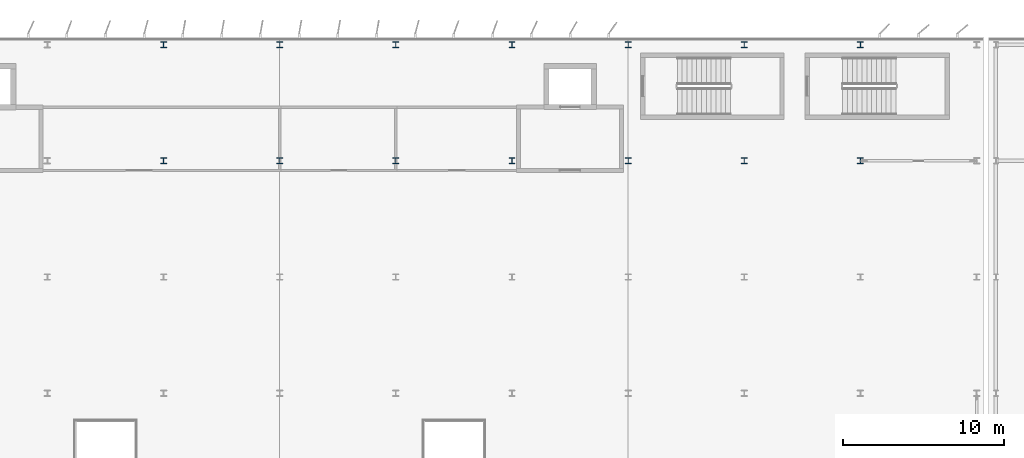
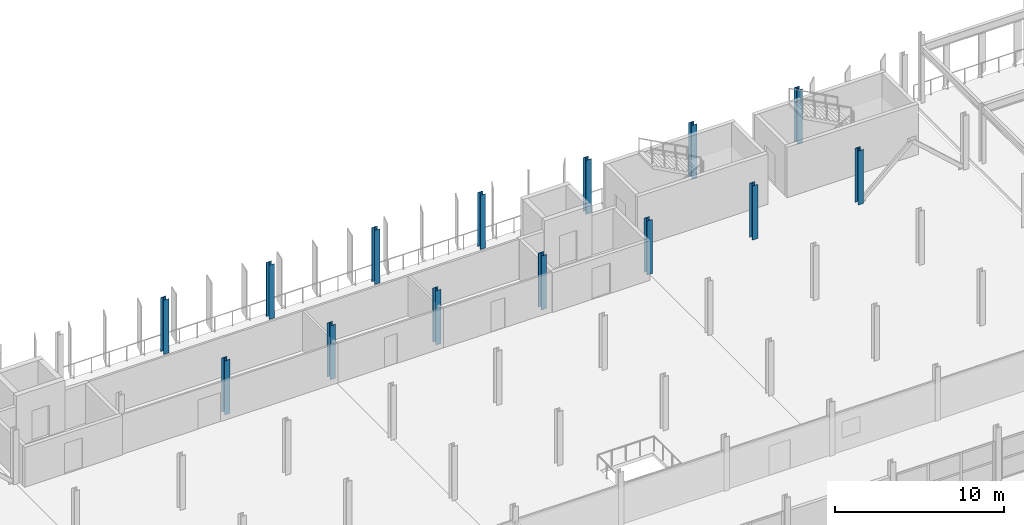
# One storey, part 9 of 40: 14 columns.
"""IFC4 building model written with IfcOpenShell, lengths in metres."""

import ifcopenshell
import ifcopenshell.guid

model = None  # the IFC model being written
_history = None  # IfcOwnerHistory: only IFC2X3 demands one
_inside = {}  # id of a spatial element -> (the spatial element, [elements in it])
_under = {}  # id of a project, library or spatial element -> (it, [spatial elements below it])
_declared = {}  # id of a project -> (the project, [libraries it declares])
_typed = {}  # id of a type object -> (the type object, [elements of that type])
_made_of = {}  # id of a material, layer set ... -> (it, [elements and type objects made of it])


def new_model(schema):
    """Start an empty IFC model of exactly this schema.

    Asked for "IFC4X3", IfcOpenShell would pick the latest addendum, in which some entities
    have other attributes; the version numbers below select the first issue.
    IFC2X3 requires an IfcOwnerHistory on every rooted entity: one is made here for all.
    """
    global model, _history
    if schema == "IFC4X3":
        model = ifcopenshell.file(schema_version=(4, 3, 0, 0))
    else:
        model = ifcopenshell.file(schema=schema)
    _inside.clear()
    _under.clear()
    _declared.clear()
    _typed.clear()
    _made_of.clear()
    _history = None
    if model.schema == "IFC2X3":
        org = make("IfcOrganization", Name="unknown")
        user = make(
            "IfcPersonAndOrganization",
            ThePerson=make("IfcPerson", FamilyName="unknown"),
            TheOrganization=org,
        )
        app = make(
            "IfcApplication",
            ApplicationDeveloper=org,
            Version="unknown",
            ApplicationFullName="unknown",
            ApplicationIdentifier="unknown",
        )
        _history = make(
            "IfcOwnerHistory",
            OwningUser=user,
            OwningApplication=app,
            ChangeAction="ADDED",
            CreationDate=0,
        )
    return model


def make(cls, **values):
    """One entity of the class cls with the attributes given. An attribute that is None is left unset."""
    return model.create_entity(
        cls, **{name: value for name, value in values.items() if value is not None}
    )


def rooted(cls, **values):
    """An entity with a GlobalId (a new one), such as an element, a storey or a relation."""
    return make(cls, GlobalId=ifcopenshell.guid.new(), OwnerHistory=_history, **values)


def si_unit(unit_type, name, prefix=None):
    """IfcSIUnit, for example si_unit("LENGTHUNIT", "METRE", prefix="MILLI")."""
    return make("IfcSIUnit", UnitType=unit_type, Prefix=prefix, Name=name)


def assignment(units):
    """IfcUnitAssignment: the units of a project."""
    return None if units is None else make("IfcUnitAssignment", Units=units)


def point(xyz):
    """IfcCartesianPoint."""
    return None if xyz is None else make("IfcCartesianPoint", Coordinates=xyz)


def direction(xyz):
    """IfcDirection."""
    return None if xyz is None else make("IfcDirection", DirectionRatios=xyz)


def frame(location, z_axis=None, x_axis=None):
    """IfcAxis2Placement3D, a coordinate frame: its origin and axes. An axis left out is left unset."""
    return make(
        "IfcAxis2Placement3D",
        Location=point(location),
        Axis=direction(z_axis),
        RefDirection=direction(x_axis),
    )


def frame_2d(location, x_axis=None):
    """IfcAxis2Placement2D, a coordinate frame in the plane: its origin and x axis."""
    return make(
        "IfcAxis2Placement2D", Location=point(location), RefDirection=direction(x_axis)
    )


def origin():
    """The frame at (0, 0, 0) with its axes left unset."""
    return frame((0.0, 0.0, 0.0))


def origin_2d():
    """The frame at (0, 0) in the plane with its x axis left unset."""
    return frame_2d((0.0, 0.0))


def place(relative_to, where):
    """IfcLocalPlacement: puts the frame where relative to a parent placement (None: the world)."""
    return make(
        "IfcLocalPlacement", PlacementRelTo=relative_to, RelativePlacement=where
    )


def context(
    kind, dimensions, precision=None, world=None, true_north=None, identifier=None
):
    """IfcGeometricRepresentationContext, for example the 3D "Model" context."""
    return make(
        "IfcGeometricRepresentationContext",
        ContextIdentifier=identifier,
        ContextType=kind,
        CoordinateSpaceDimension=dimensions,
        Precision=precision,
        WorldCoordinateSystem=world,
        TrueNorth=true_north,
    )


def subcontext(parent, identifier, kind, view, scale=None):
    """IfcGeometricRepresentationSubContext, for example "Body" below "Model"."""
    return make(
        "IfcGeometricRepresentationSubContext",
        ContextIdentifier=identifier,
        ContextType=kind,
        ParentContext=parent,
        TargetScale=scale,
        TargetView=view,
    )


def project(units=None, contexts=None):
    """IfcProject with its units and contexts."""
    return rooted(
        "IfcProject",
        Name="project",
        RepresentationContexts=contexts,
        UnitsInContext=assignment(units),
    )


def spatial(cls, under=None, at=None, **own):
    """A site, building, storey or space (cls), placed at a placement, below another one or the project."""
    s = rooted(cls, ObjectPlacement=at, **own)
    if under is not None:
        _under.setdefault(under.id(), (under, []))[1].append(s)
    return s


def profile(cls, at=None, kind="AREA", **sizes):
    """A parametric profile (cls). Its sizes go by their IFC names, for example OverallWidth=200.0."""
    return make(cls, ProfileType=kind, Position=at, **sizes)


def i_section(**sizes):
    """IfcIShapeProfileDef."""
    return profile("IfcIShapeProfileDef", **sizes)


def extrude(swept, where, along, depth):
    """IfcExtrudedAreaSolid: the profile swept, set in the frame where, extruded along a direction by depth."""
    return make(
        "IfcExtrudedAreaSolid",
        SweptArea=swept,
        Position=where,
        ExtrudedDirection=direction(along),
        Depth=depth,
    )


def shape(context_of_items, identifier, shape_type, items):
    """IfcShapeRepresentation: the items that make up one representation, for example the "Body"."""
    return make(
        "IfcShapeRepresentation",
        ContextOfItems=context_of_items,
        RepresentationIdentifier=identifier,
        RepresentationType=shape_type,
        Items=items,
    )


def material(Name=None, Category=None):
    """IfcMaterial."""
    return make("IfcMaterial", Name=Name, Category=Category)


def material_profile(
    of_material, cross_section, Name=None, Category=None, Priority=None
):
    """IfcMaterialProfile: a cross section and its material."""
    return make(
        "IfcMaterialProfile",
        Name=Name,
        Material=of_material,
        Profile=cross_section,
        Priority=Priority,
        Category=Category,
    )


def profile_set(profiles, Name=None, composite=None):
    """IfcMaterialProfileSet."""
    return make(
        "IfcMaterialProfileSet",
        Name=Name,
        MaterialProfiles=profiles,
        CompositeProfile=composite,
    )


def made_of(thing, what):
    """Note that an element or type object is made of a material, layer set ...; save() writes the relation."""
    if what is not None:
        _made_of.setdefault(what.id(), (what, []))[1].append(thing)
    return thing


def type_object(cls, material=None, **own):
    """A type object (cls), such as IfcWallType, which elements share."""
    return made_of(rooted(cls, **own), material)


def element(
    cls,
    number,
    at=None,
    inside=None,
    cuts=None,
    type_object=None,
    material=None,
    context=None,
    identifier="Body",
    shape_type=None,
    held_by="IfcProductDefinitionShape",
    body=None,
    shapes=None,
    **own,
):
    """One element of the class cls, such as IfcWall. Its Tag is "e" and its number.

    at: its placement. inside: the storey or other place that contains it. cuts: it is an
    opening in that element (IfcRelVoidsElement). A single representation is given by context,
    identifier, shape_type and body (its items); several are given by shapes. held_by: the class
    of the entity that holds the representations. save() writes the other relations.
    """
    e = rooted(cls, Tag="e%d" % number, ObjectPlacement=at, **own)
    if body is not None:
        shapes = [shape(context, identifier, shape_type, body)]
    if shapes is not None:
        e.Representation = make(held_by, Representations=shapes)
    if inside is not None:
        _inside.setdefault(inside.id(), (inside, []))[1].append(e)
    if cuts is not None:
        rooted(
            "IfcRelVoidsElement", RelatingBuildingElement=cuts, RelatedOpeningElement=e
        )
    if type_object is not None:
        _typed.setdefault(type_object.id(), (type_object, []))[1].append(e)
    return made_of(e, material)


def aggregate(whole, parts):
    """IfcRelAggregates: a whole, such as a stair, and the parts it consists of."""
    return rooted("IfcRelAggregates", RelatingObject=whole, RelatedObjects=parts)


def save(model, path):
    """Write the relations noted so far, then the file.

    IfcRelAggregates (storeys below a building ...), IfcRelContainedInSpatialStructure (elements
    in a storey), IfcRelDefinesByType, IfcRelAssociatesMaterial and IfcRelDeclares: one each for
    every whole, place, type object, material and project.
    """
    for whole, parts in _under.values():
        aggregate(whole, parts)
    for where, things in _inside.values():
        rooted(
            "IfcRelContainedInSpatialStructure",
            RelatedElements=things,
            RelatingStructure=where,
        )
    for kind, things in _typed.values():
        rooted("IfcRelDefinesByType", RelatedObjects=things, RelatingType=kind)
    for what, things in _made_of.values():
        rooted("IfcRelAssociatesMaterial", RelatedObjects=things, RelatingMaterial=what)
    for by, libraries in _declared.values():
        rooted("IfcRelDeclares", RelatingContext=by, RelatedDefinitions=libraries)
    model.write(path)


model = new_model("IFC4")

# Units and contexts
model_context = context("Model", 3, precision=1e-05, world=origin(), true_north=direction((0.0, 1.0)))
body_context = subcontext(model_context, "Body", "Model", "MODEL_VIEW")
ifc_project = project(units=[si_unit("LENGTHUNIT", "METRE"), si_unit("AREAUNIT", "SQUARE_METRE"), si_unit("VOLUMEUNIT", "CUBIC_METRE"), si_unit("PLANEANGLEUNIT", "RADIAN"), si_unit("MASSUNIT", "GRAM", prefix="KILO")], contexts=[model_context])

# Site, building, storey
site_placement = place(None, origin())
site = spatial("IfcSite", under=ifc_project, at=site_placement, CompositionType="ELEMENT")
building_placement = place(site_placement, origin())
building = spatial("IfcBuilding", under=site, at=building_placement, Name="Vaelcorin Mobility Hub", CompositionType="ELEMENT")
storey_placement = place(building_placement, frame((0.0, 0.0, 17.10009765625)))
storey = spatial("IfcBuildingStorey", under=building, at=storey_placement, Name="L04", CompositionType="ELEMENT", Elevation=17.10009765625)

# Columns
ifc_material = material(Name="Steel ASTM A992 Grade 50", Category="steel")
ifc_material_profile_1 = material_profile(ifc_material, i_section(OverallWidth=0.37109375, OverallDepth=0.363037109375, WebThickness=0.01318359375, FlangeThickness=0.021728515625, FilletRadius=0.014892578125, at=origin_2d()), Name="W14X109")
ifc_profile_set_1 = profile_set([ifc_material_profile_1], Name="Steel ASTM A992 Grade 50")
column_type_1 = type_object("IfcColumnType", Name="COL-W14X109", PredefinedType="COLUMN", material=ifc_profile_set_1)
for number, where, z_axis, x_axis, name in (
    (1, (72.0, 112.800048828125, 0.0), (0.0, 0.0, 1.0), (1.0, 0.0, 0.0), "Column V4-X06Y06 L04"),
    (2, (79.199951171875, 112.800048828125, 0.0), (0.0, 0.0, 1.0), (1.0, 0.0, 0.0), "Column V4-X07Y06 L04"),
    (3, (86.39990234375, 112.800048828125, 0.0), (0.0, 0.0, 1.0), (1.0, 0.0, 0.0), "Column V4-X08Y06 L04"),
    (4, (93.60009765625, 112.800048828125, 0.0), (0.0, 0.0, 1.0), (1.0, 0.0, 0.0), "Column V4-X09Y06 L04"),
    (5, (100.800048828125, 112.800048828125, 0.0), (0.0, 0.0, 1.0), (1.0, 0.0, 0.0), "Column V4-X10Y06 L04"),
    (6, (108.0, 112.800048828125, 0.0), (0.0, 0.0, 1.0), (1.0, 0.0, 0.0), "Column V4-X11Y06 L04"),
    (7, (115.199951171875, 112.800048828125, 0.0), (0.0, 0.0, 1.0), (1.0, 0.0, 0.0), "Column V4-X12Y06 L04"),
):
    element("IfcColumn", number, at=place(storey_placement, frame(where, z_axis=z_axis, x_axis=x_axis)), inside=storey, type_object=column_type_1, Name=name, PredefinedType="COLUMN", context=body_context, shape_type="SweptSolid", body=[
        extrude(i_section(OverallWidth=0.37109375, OverallDepth=0.363037109375, WebThickness=0.01318359375, FlangeThickness=0.021728515625, FilletRadius=0.014892578125, at=origin_2d()), origin(), (0.0, 0.0, 1.0), 3.89990234375),
    ])
ifc_material_profile_2 = material_profile(ifc_material, i_section(OverallWidth=0.367919921875, OverallDepth=0.35595703125, WebThickness=0.01123046875, FlangeThickness=0.01806640625, FilletRadius=0.014892578125, at=origin_2d()), Name="W14X90")
ifc_profile_set_2 = profile_set([ifc_material_profile_2], Name="Steel ASTM A992 Grade 50")
column_type_2 = type_object("IfcColumnType", Name="COL-W14X90", PredefinedType="COLUMN", material=ifc_profile_set_2)
for number, where, z_axis, x_axis, name in (
    (8, (72.0, 120.0, 0.0), (0.0, 0.0, 1.0), (1.0, 0.0, 0.0), "Column V4-X06Y07 L04"),
    (9, (79.199951171875, 120.0, 0.0), (0.0, 0.0, 1.0), (1.0, 0.0, 0.0), "Column V4-X07Y07 L04"),
    (10, (86.39990234375, 120.0, 0.0), (0.0, 0.0, 1.0), (1.0, 0.0, 0.0), "Column V4-X08Y07 L04"),
    (11, (93.60009765625, 120.0, 0.0), (0.0, 0.0, 1.0), (1.0, 0.0, 0.0), "Column V4-X09Y07 L04"),
    (12, (100.800048828125, 120.0, 0.0), (0.0, 0.0, 1.0), (1.0, 0.0, 0.0), "Column V4-X10Y07 L04"),
    (13, (108.0, 120.0, 0.0), (0.0, 0.0, 1.0), (1.0, 0.0, 0.0), "Column V4-X11Y07 L04"),
    (14, (115.199951171875, 120.0, 0.0), (0.0, 0.0, 1.0), (1.0, 0.0, 0.0), "Column V4-X12Y07 L04"),
):
    element("IfcColumn", number, at=place(storey_placement, frame(where, z_axis=z_axis, x_axis=x_axis)), inside=storey, type_object=column_type_2, Name=name, PredefinedType="COLUMN", context=body_context, shape_type="SweptSolid", body=[
        extrude(i_section(OverallWidth=0.367919921875, OverallDepth=0.35595703125, WebThickness=0.01123046875, FlangeThickness=0.01806640625, FilletRadius=0.014892578125, at=origin_2d()), origin(), (0.0, 0.0, 1.0), 3.89990234375),
    ])

save(model, "model.ifc")
